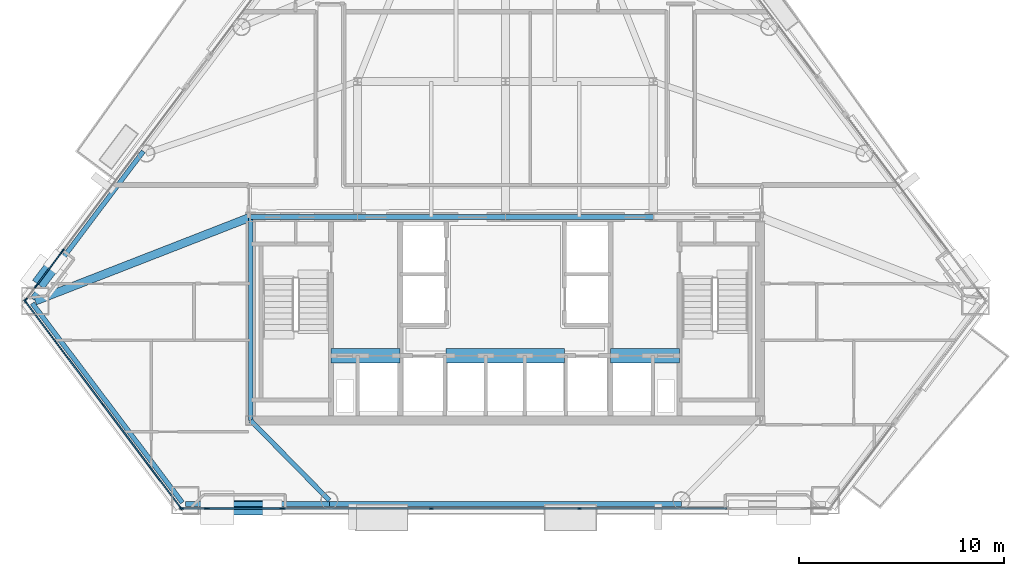
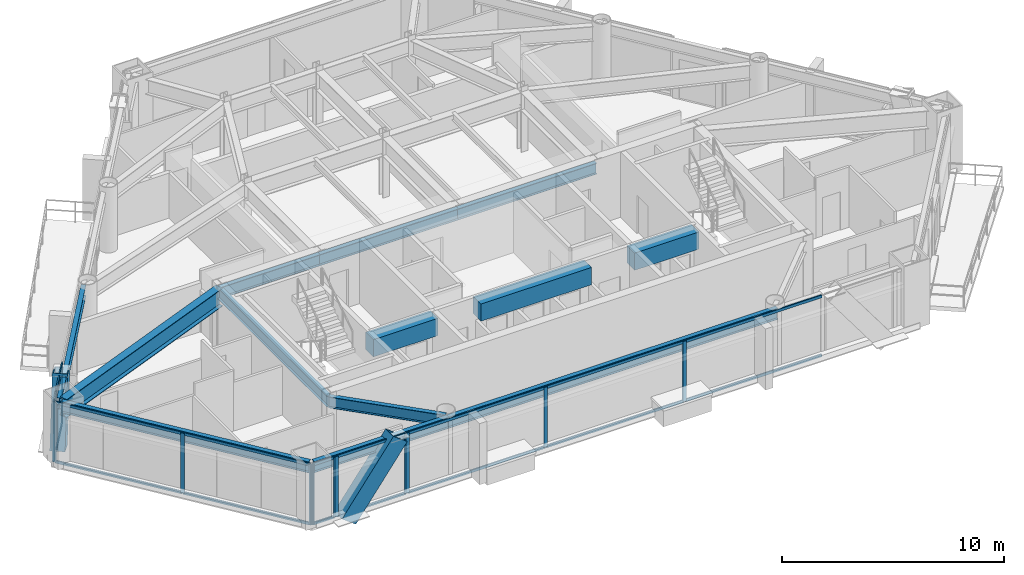
# One storey, part 2 of 14: 33 members, 13 beams, 7 elements without a shape of their own.
"""IFC4 building model written with IfcOpenShell, lengths in metres."""

from ifc_helpers import new_model, si_unit, direction, frame, origin, origin_2d, place, context, subcontext, project, spatial, rectangle, hollow_rectangle, i_section, extrude, material, layer, layer_set, material_profile, profile_set, type_object, element, aggregate, save


model = new_model("IFC4")

# Units and contexts
model_context = context("Model", 3, precision=1e-05, world=origin(), true_north=direction((0.0, 1.0)))
body_context = subcontext(model_context, "Body", "Model", "MODEL_VIEW")
ifc_project = project(units=[si_unit("LENGTHUNIT", "METRE"), si_unit("AREAUNIT", "SQUARE_METRE"), si_unit("VOLUMEUNIT", "CUBIC_METRE"), si_unit("PLANEANGLEUNIT", "RADIAN"), si_unit("MASSUNIT", "GRAM", prefix="KILO")], contexts=[model_context])

# Site, building, storey
site_placement = place(None, origin())
site = spatial("IfcSite", under=ifc_project, at=site_placement, CompositionType="ELEMENT")
building_placement = place(site_placement, origin())
building = spatial("IfcBuilding", under=site, at=building_placement, Name="Talgorran Terracotta Tower", CompositionType="ELEMENT")
storey_placement = place(building_placement, frame((0.0, 0.0, 56.699951171875)))
storey = spatial("IfcBuildingStorey", under=building, at=storey_placement, Name="L14", CompositionType="ELEMENT", Elevation=56.699951171875)

# Beams
ifc_material_1 = material(Name="Steel Grade 350 (350L0)", Category="steel")
ifc_material_profile_1 = material_profile(ifc_material_1, i_section(OverallWidth=0.39990234375, OverallDepth=1.0, WebThickness=0.01611328125, FlangeThickness=0.031005859375, at=origin_2d()), Name="1000WB296")
ifc_profile_set_1 = profile_set([ifc_material_profile_1], Name="Steel Grade 350 (350L0)")
beam_type_1 = type_object("IfcBeamType", Name="BM_1000WB296", PredefinedType="BEAM", material=ifc_profile_set_1)
beam_1_placement = place(storey_placement, frame((-12.39990234375, -4.199951171875, 2.820068359375), z_axis=(-0.931733259181, -0.363143406571, 0.0), x_axis=(0.363143406571, -0.931733259181, 0.0)))
element("IfcBeam", 1, at=beam_1_placement, inside=storey, type_object=beam_type_1, Name="L14 Floor Girder G17", PredefinedType="BEAM", context=body_context, shape_type="SweptSolid", body=[
    extrude(i_section(OverallWidth=0.39990234375, OverallDepth=1.0, WebThickness=0.01611328125, FlangeThickness=0.031005859375, at=origin_2d()), origin(), (0.0, 0.0, 1.0), 11.253662109375),
])
ifc_material_2 = material(Name="Concrete C65/80", Category="concrete")
ifc_material_profile_2 = material_profile(ifc_material_2, rectangle(XDim=0.699951171875, YDim=0.949951171875, at=origin_2d()), Name="RCCB700X950")
ifc_profile_set_2 = profile_set([ifc_material_profile_2], Name="Concrete C65/80")
beam_type_2 = type_object("IfcBeamType", Name="BM_CB_700X950", PredefinedType="LINTEL", material=ifc_profile_set_2)
beam_2_placement = place(storey_placement, frame((-8.47998046875, -10.949951171875, 2.844970703125), z_axis=(1.0, 0.0, 0.0), x_axis=(0.0, 1.0, 0.0)))
element("IfcBeam", 2, at=beam_2_placement, inside=storey, type_object=beam_type_2, Name="L14 Core Shear-Wall Coupling Beam CB1", PredefinedType="LINTEL", context=body_context, shape_type="SweptSolid", body=[
    extrude(rectangle(XDim=0.699951171875, YDim=0.949951171875, at=origin_2d()), origin(), (0.0, 0.0, 1.0), 3.35986328125),
])
beam_3_placement = place(storey_placement, frame((-2.8798828125, -10.949951171875, 2.844970703125), z_axis=(1.0, 0.0, 0.0), x_axis=(0.0, 1.0, 0.0)))
element("IfcBeam", 3, at=beam_3_placement, inside=storey, type_object=beam_type_2, Name="L14 Core Shear-Wall Coupling Beam CB2", PredefinedType="LINTEL", context=body_context, shape_type="SweptSolid", body=[
    extrude(rectangle(XDim=0.699951171875, YDim=0.949951171875, at=origin_2d()), origin(), (0.0, 0.0, 1.0), 5.759765625),
])
beam_4_placement = place(storey_placement, frame((5.1201171875, -10.949951171875, 2.844970703125), z_axis=(1.0, 0.0, 0.0), x_axis=(0.0, 1.0, 0.0)))
element("IfcBeam", 4, at=beam_4_placement, inside=storey, type_object=beam_type_2, Name="L14 Core Shear-Wall Coupling Beam CB3", PredefinedType="LINTEL", context=body_context, shape_type="SweptSolid", body=[
    extrude(rectangle(XDim=0.699951171875, YDim=0.949951171875, at=origin_2d()), origin(), (0.0, 0.0, 1.0), 3.35986328125),
])
ifc_material_3 = material(Name="Steel S355 (300PLUS)", Category="steel")
ifc_material_profile_3 = material_profile(ifc_material_3, i_section(OverallWidth=0.22900390625, OverallDepth=0.611572265625, WebThickness=0.011962890625, FlangeThickness=0.01953125, at=origin_2d()), Name="610UB125")
ifc_profile_set_3 = profile_set([ifc_material_profile_3], Name="Steel S355 (300PLUS)")
beam_type_3 = type_object("IfcBeamType", Name="BM_SP_610UB125", PredefinedType="SPANDREL", material=ifc_profile_set_3)
beam_5_placement = place(storey_placement, frame((-23.029052734375, -8.39501953125, 3.01416015625), z_axis=(0.601442935973, -0.798915761997, 0.0), x_axis=(0.798915761997, 0.601442935973, 0.0)))
element("IfcBeam", 5, at=beam_5_placement, inside=storey, type_object=beam_type_3, Name="L14 Perimeter Spandrel Beam MC1-MC2", PredefinedType="SPANDREL", context=body_context, shape_type="SweptSolid", body=[
    extrude(i_section(OverallWidth=0.22900390625, OverallDepth=0.611572265625, WebThickness=0.011962890625, FlangeThickness=0.01953125, at=origin_2d()), origin(), (0.0, 0.0, 1.0), 12.14697265625),
])
beam_6_placement = place(storey_placement, frame((-15.57958984375, -18.171142578125, 3.01416015625), z_axis=(1.0, 0.0, 0.0), x_axis=(0.0, 1.0, 0.0)))
element("IfcBeam", 6, at=beam_6_placement, inside=storey, type_object=beam_type_3, Name="L14 Perimeter Spandrel Beam MC2-FC1", PredefinedType="SPANDREL", context=body_context, shape_type="SweptSolid", body=[
    extrude(i_section(OverallWidth=0.22900390625, OverallDepth=0.611572265625, WebThickness=0.011962890625, FlangeThickness=0.01953125, at=origin_2d()), origin(), (0.0, 0.0, 1.0), 7.0107421875),
])
beam_7_placement = place(storey_placement, frame((-8.56884765625, -18.171142578125, 3.01416015625), z_axis=(1.0, 0.0, 0.0), x_axis=(0.0, 1.0, 0.0)))
element("IfcBeam", 7, at=beam_7_placement, inside=storey, type_object=beam_type_3, Name="L14 Perimeter Spandrel Beam FC1-FC2", PredefinedType="SPANDREL", context=body_context, shape_type="SweptSolid", body=[
    extrude(i_section(OverallWidth=0.22900390625, OverallDepth=0.611572265625, WebThickness=0.011962890625, FlangeThickness=0.01953125, at=origin_2d()), origin(), (0.0, 0.0, 1.0), 17.1376953125),
])
beam_8_placement = place(storey_placement, frame((-17.622314453125, -0.996337890625, 3.01416015625), z_axis=(-0.601446008666, -0.798913448791, 0.0), x_axis=(0.798913448791, -0.601446008666, 0.0)))
element("IfcBeam", 8, at=beam_8_placement, inside=storey, type_object=beam_type_3, Name="L14 Perimeter Spandrel Beam FC6-MC1", PredefinedType="SPANDREL", context=body_context, shape_type="SweptSolid", body=[
    extrude(i_section(OverallWidth=0.22900390625, OverallDepth=0.611572265625, WebThickness=0.011962890625, FlangeThickness=0.01953125, at=origin_2d()), origin(), (0.0, 0.0, 1.0), 8.989501953125),
])
beam_9_placement = place(storey_placement, frame((-8.56884765625, -17.9912109375, 3.01416015625), z_axis=(-0.701586091596, 0.712584700985, 0.0), x_axis=(-0.712584700985, -0.701586091596, 0.0)))
element("IfcBeam", 9, at=beam_9_placement, inside=storey, type_object=beam_type_3, Name="L14 South-West Core Tie Beam", PredefinedType="SPANDREL", context=body_context, shape_type="SweptSolid", body=[
    extrude(i_section(OverallWidth=0.22900390625, OverallDepth=0.611572265625, WebThickness=0.011962890625, FlangeThickness=0.01953125, at=origin_2d()), origin(), (0.0, 0.0, 1.0), 5.46044921875),
])
beam_10_placement = place(storey_placement, frame((-12.39990234375, -14.10009765625, 3.01416015625), z_axis=(0.0, 1.0, 0.0), x_axis=(-1.0, 0.0, 0.0)))
element("IfcBeam", 10, at=beam_10_placement, inside=storey, type_object=beam_type_3, Name="L14 Core Frame Beam CFW", PredefinedType="SPANDREL", context=body_context, shape_type="SweptSolid", body=[
    extrude(i_section(OverallWidth=0.22900390625, OverallDepth=0.611572265625, WebThickness=0.011962890625, FlangeThickness=0.01953125, at=origin_2d()), origin(), (0.0, 0.0, 1.0), 9.900146484375),
])
beam_11_placement = place(storey_placement, frame((-12.39990234375, -4.199951171875, 3.01416015625), z_axis=(1.0, 0.0, 0.0), x_axis=(0.0, 1.0, 0.0)))
element("IfcBeam", 11, at=beam_11_placement, inside=storey, type_object=beam_type_3, Name="L14 Core Frame Beam CFN1", PredefinedType="SPANDREL", context=body_context, shape_type="SweptSolid", body=[
    extrude(i_section(OverallWidth=0.22900390625, OverallDepth=0.611572265625, WebThickness=0.011962890625, FlangeThickness=0.01953125, at=origin_2d()), origin(), (0.0, 0.0, 1.0), 5.199951171875),
])
for number, where, z_axis, x_axis, name in (
    (12, (-7.199951171875, -4.199951171875, 3.01416015625), (1.0, 0.0, 0.0), (0.0, 1.0, 0.0), "L14 Core Frame Beam CFN2"),
    (13, (0.0, -4.199951171875, 3.01416015625), (1.0, 0.0, 0.0), (0.0, 1.0, 0.0), "L14 Core Frame Beam CFN3"),
):
    element("IfcBeam", number, at=place(storey_placement, frame(where, z_axis=z_axis, x_axis=x_axis)), inside=storey, type_object=beam_type_3, Name=name, PredefinedType="SPANDREL", context=body_context, shape_type="SweptSolid", body=[
        extrude(i_section(OverallWidth=0.22900390625, OverallDepth=0.611572265625, WebThickness=0.011962890625, FlangeThickness=0.01953125, at=origin_2d()), origin(), (0.0, 0.0, 1.0), 7.199951171875),
    ])

# Members
ifc_material_profile_4 = material_profile(ifc_material_1, hollow_rectangle(XDim=0.699951171875, YDim=0.89990234375, WallThickness=0.050048828125, at=origin_2d()), Name="WBOX900X700X50")
ifc_profile_set_4 = profile_set([ifc_material_profile_4], Name="Steel Grade 350 (350L0)")
member_type_1 = type_object("IfcMemberType", Name="MB_MEGA_900", PredefinedType="BRACE", material=ifc_profile_set_4)
member_1_placement = place(storey_placement, frame((-14.025634765625, -18.35107421875, -0.27001953125), z_axis=(0.595397527069, 0.0, 0.803431257022), x_axis=(0.0, 1.0, 0.0)))
element("IfcMember", 14, at=member_1_placement, inside=storey, type_object=member_type_1, Name="L14 Exterior Face Mega-Brace MB-1 (SWF)", PredefinedType="BRACE", context=body_context, shape_type="SweptSolid", body=[
    extrude(hollow_rectangle(XDim=0.699951171875, YDim=0.89990234375, WallThickness=0.050048828125, at=origin_2d()), origin(), (0.0, 0.0, 1.0), 4.49951171875),
])
member_2_placement = place(storey_placement, frame((-22.471435546875, -7.13818359375, -0.27001953125), z_axis=(0.155404916961, 0.206488901, 0.966028801614), x_axis=(-0.79899919389, 0.601332094738, 0.0)))
element("IfcMember", 15, at=member_2_placement, inside=storey, type_object=member_type_1, Name="L14 Exterior Face Mega-Brace MB-1 (NWL)", PredefinedType="BRACE", context=body_context, shape_type="SweptSolid", body=[
    extrude(hollow_rectangle(XDim=0.699951171875, YDim=0.89990234375, WallThickness=0.050048828125, at=origin_2d()), origin(), (0.0, 0.0, 1.0), 3.7421875),
])

# Curtain wall, members
ifc_material_4 = material(Name="Unitised Low-E Double Glazing", Category="glass")
ifc_layer = layer(ifc_material_4, 0.199951171875, Name="CW_SYS2_RES_LOW")
ifc_layer_set = layer_set([ifc_layer], Name="Unitised Low-E Double Glazing")
curtain_wall_type = type_object("IfcCurtainWallType", Name="CW_SYS2_RES_LOW", PredefinedType="NOTDEFINED", material=ifc_layer_set)
curtain_wall_1_placement = place(storey_placement, origin())
curtain_wall_1 = element("IfcCurtainWall", 16, at=curtain_wall_1_placement, inside=storey, type_object=curtain_wall_type, Name="CW-L14-F0", PredefinedType="NOTDEFINED")
ifc_material_5 = material(Name="Architectural Aluminium 6063-T6", Category="aluminium")
ifc_material_profile_5 = material_profile(ifc_material_5, rectangle(XDim=0.06494140625, YDim=0.18505859375, at=origin_2d()), Name="CWM65X185")
ifc_profile_set_5 = profile_set([ifc_material_profile_5], Name="Architectural Aluminium 6063-T6")
member_type_2 = type_object("IfcMemberType", Name="MUL_65X185", PredefinedType="MULLION", material=ifc_profile_set_5)
member_3_placement = place(storey_placement, frame((-23.366455078125, -8.3125, 0.0), z_axis=(0.0, 0.0, 1.0), x_axis=(0.798916134657, 0.601442440957, 0.0)))
member_3 = element("IfcMember", 17, at=member_3_placement, type_object=member_type_2, Name="CW-L14-0 mullion 1", PredefinedType="MULLION", context=body_context, shape_type="SweptSolid", body=[
    extrude(rectangle(XDim=0.06494140625, YDim=0.18505859375, at=origin_2d()), origin(), (0.0, 0.0, 1.0), 3.320068359375),
])
member_4_placement = place(storey_placement, frame((-19.58251953125, -13.3388671875, 0.0), z_axis=(0.0, 0.0, 1.0), x_axis=(0.798916134657, 0.601442440957, 0.0)))
member_4 = element("IfcMember", 18, at=member_4_placement, type_object=member_type_2, Name="CW-L14-0 mullion 2", PredefinedType="MULLION", context=body_context, shape_type="SweptSolid", body=[
    extrude(rectangle(XDim=0.06494140625, YDim=0.18505859375, at=origin_2d()), origin(), (0.0, 0.0, 1.0), 3.320068359375),
])
member_5_placement = place(storey_placement, frame((-15.798583984375, -18.365234375, 0.0), z_axis=(0.0, 0.0, 1.0), x_axis=(0.798916134657, 0.601442440957, 0.0)))
member_5 = element("IfcMember", 19, at=member_5_placement, type_object=member_type_2, Name="CW-L14-0 mullion 3", PredefinedType="MULLION", context=body_context, shape_type="SweptSolid", body=[
    extrude(rectangle(XDim=0.06494140625, YDim=0.18505859375, at=origin_2d()), origin(), (0.0, 0.0, 1.0), 3.320068359375),
])

curtain_wall_2_placement = place(storey_placement, origin())
curtain_wall_2 = element("IfcCurtainWall", 20, at=curtain_wall_2_placement, inside=storey, type_object=curtain_wall_type, Name="CW-L14-F1", PredefinedType="NOTDEFINED")
member_6_placement = place(storey_placement, frame((-15.74658203125, -18.39111328125, 0.0), z_axis=(0.0, 0.0, 1.0), x_axis=(0.0, 1.0, 0.0)))
member_6 = element("IfcMember", 21, at=member_6_placement, type_object=member_type_2, Name="CW-L14-1 mullion 1", PredefinedType="MULLION", context=body_context, shape_type="SweptSolid", body=[
    extrude(rectangle(XDim=0.06494140625, YDim=0.18505859375, at=origin_2d()), origin(), (0.0, 0.0, 1.0), 3.320068359375),
])
member_7_placement = place(storey_placement, frame((-14.5732421875, -18.39111328125, 0.0), z_axis=(0.0, 0.0, 1.0), x_axis=(0.0, 1.0, 0.0)))
member_7 = element("IfcMember", 22, at=member_7_placement, type_object=member_type_2, Name="CW-L14-1 mullion 2", PredefinedType="MULLION", context=body_context, shape_type="SweptSolid", body=[
    extrude(rectangle(XDim=0.06494140625, YDim=0.18505859375, at=origin_2d()), origin(), (0.0, 0.0, 1.0), 3.320068359375),
])

curtain_wall_3_placement = place(storey_placement, origin())
curtain_wall_3 = element("IfcCurtainWall", 23, at=curtain_wall_3_placement, inside=storey, type_object=curtain_wall_type, Name="CW-L14-F1B", PredefinedType="NOTDEFINED")
member_8_placement = place(storey_placement, frame((-14.498291015625, -18.39111328125, 0.0), z_axis=(0.0, 0.0, 1.0), x_axis=(0.0, 1.0, 0.0)))
member_8 = element("IfcMember", 24, at=member_8_placement, type_object=member_type_2, Name="CW-L14-1B mullion 1", PredefinedType="MULLION", context=body_context, shape_type="SweptSolid", body=[
    extrude(rectangle(XDim=0.06494140625, YDim=0.18505859375, at=origin_2d()), origin(), (0.0, 0.0, 1.0), 3.320068359375),
])
member_9_placement = place(storey_placement, frame((-10.87255859375, -18.39111328125, 0.0), z_axis=(0.0, 0.0, 1.0), x_axis=(0.0, 1.0, 0.0)))
member_9 = element("IfcMember", 25, at=member_9_placement, type_object=member_type_2, Name="CW-L14-1B mullion 2", PredefinedType="MULLION", context=body_context, shape_type="SweptSolid", body=[
    extrude(rectangle(XDim=0.06494140625, YDim=0.18505859375, at=origin_2d()), origin(), (0.0, 0.0, 1.0), 3.320068359375),
])

curtain_wall_4_placement = place(storey_placement, origin())
curtain_wall_4 = element("IfcCurtainWall", 26, at=curtain_wall_4_placement, inside=storey, type_object=curtain_wall_type, Name="CW-L14-F1C", PredefinedType="NOTDEFINED")
member_10_placement = place(storey_placement, frame((-10.797607421875, -18.39111328125, 0.0), z_axis=(0.0, 0.0, 1.0), x_axis=(0.0, 1.0, 0.0)))
member_10 = element("IfcMember", 27, at=member_10_placement, type_object=member_type_2, Name="CW-L14-1C mullion 1", PredefinedType="MULLION", context=body_context, shape_type="SweptSolid", body=[
    extrude(rectangle(XDim=0.06494140625, YDim=0.18505859375, at=origin_2d()), origin(), (0.0, 0.0, 1.0), 3.320068359375),
])
member_11_placement = place(storey_placement, frame((-3.610107421875, -18.39111328125, 0.0), z_axis=(0.0, 0.0, 1.0), x_axis=(0.0, 1.0, 0.0)))
member_11 = element("IfcMember", 28, at=member_11_placement, type_object=member_type_2, Name="CW-L14-1C mullion 2", PredefinedType="MULLION", context=body_context, shape_type="SweptSolid", body=[
    extrude(rectangle(XDim=0.06494140625, YDim=0.18505859375, at=origin_2d()), origin(), (0.0, 0.0, 1.0), 3.320068359375),
])
member_12_placement = place(storey_placement, frame((3.610107421875, -18.39111328125, 0.0), z_axis=(0.0, 0.0, 1.0), x_axis=(0.0, 1.0, 0.0)))
member_12 = element("IfcMember", 29, at=member_12_placement, type_object=member_type_2, Name="CW-L14-1C mullion 3", PredefinedType="MULLION", context=body_context, shape_type="SweptSolid", body=[
    extrude(rectangle(XDim=0.06494140625, YDim=0.18505859375, at=origin_2d()), origin(), (0.0, 0.0, 1.0), 3.320068359375),
])

# Curtain wall, member
curtain_wall_5_placement = place(storey_placement, origin())
curtain_wall_5 = element("IfcCurtainWall", 30, at=curtain_wall_5_placement, inside=storey, type_object=curtain_wall_type, Name="CW-L14-F61", PredefinedType="NOTDEFINED")
member_13_placement = place(storey_placement, frame((-21.547607421875, -5.844482421875, 0.0), z_axis=(0.0, 0.0, 1.0), x_axis=(0.798917628672, -0.601440456402, 0.0)))
member_13 = element("IfcMember", 31, at=member_13_placement, type_object=member_type_2, Name="CW-L14-61 mullion 2", PredefinedType="MULLION", context=body_context, shape_type="SweptSolid", body=[
    extrude(rectangle(XDim=0.06494140625, YDim=0.18505859375, at=origin_2d()), origin(), (0.0, 0.0, 1.0), 3.320068359375),
])
aggregate(curtain_wall_5, [member_13])

# Curtain wall, members
curtain_wall_6_placement = place(storey_placement, origin())
curtain_wall_6 = element("IfcCurtainWall", 32, at=curtain_wall_6_placement, inside=storey, type_object=curtain_wall_type, Name="CW-L14-F61B", PredefinedType="NOTDEFINED")
member_14_placement = place(storey_placement, frame((-21.592529296875, -5.904296875, 0.0), z_axis=(0.0, 0.0, 1.0), x_axis=(0.798916852976, -0.601441486788, 0.0)))
member_14 = element("IfcMember", 33, at=member_14_placement, type_object=member_type_2, Name="CW-L14-61B mullion 1", PredefinedType="MULLION", context=body_context, shape_type="SweptSolid", body=[
    extrude(rectangle(XDim=0.06494140625, YDim=0.18505859375, at=origin_2d()), origin(), (0.0, 0.0, 1.0), 3.320068359375),
])
member_15_placement = place(storey_placement, frame((-22.807861328125, -7.5185546875, 0.0), z_axis=(0.0, 0.0, 1.0), x_axis=(0.798916852976, -0.601441486788, 0.0)))
member_15 = element("IfcMember", 34, at=member_15_placement, type_object=member_type_2, Name="CW-L14-61B mullion 2", PredefinedType="MULLION", context=body_context, shape_type="SweptSolid", body=[
    extrude(rectangle(XDim=0.06494140625, YDim=0.18505859375, at=origin_2d()), origin(), (0.0, 0.0, 1.0), 3.320068359375),
])

curtain_wall_7_placement = place(storey_placement, origin())
curtain_wall_7 = element("IfcCurtainWall", 35, at=curtain_wall_7_placement, inside=storey, type_object=curtain_wall_type, Name="CW-L14-F61C", PredefinedType="NOTDEFINED")
member_16_placement = place(storey_placement, frame((-22.852783203125, -7.578369140625, 0.0), z_axis=(0.0, 0.0, 1.0), x_axis=(0.798933798225, -0.601418977131, 0.0)))
member_16 = element("IfcMember", 36, at=member_16_placement, type_object=member_type_2, Name="CW-L14-61C mullion 1", PredefinedType="MULLION", context=body_context, shape_type="SweptSolid", body=[
    extrude(rectangle(XDim=0.06494140625, YDim=0.18505859375, at=origin_2d()), origin(), (0.0, 0.0, 1.0), 3.320068359375),
])
member_17_placement = place(storey_placement, frame((-23.34228515625, -8.228515625, 0.0), z_axis=(0.0, 0.0, 1.0), x_axis=(0.798933798225, -0.601418977131, 0.0)))
member_17 = element("IfcMember", 37, at=member_17_placement, type_object=member_type_2, Name="CW-L14-61C mullion 2", PredefinedType="MULLION", context=body_context, shape_type="SweptSolid", body=[
    extrude(rectangle(XDim=0.06494140625, YDim=0.18505859375, at=origin_2d()), origin(), (0.0, 0.0, 1.0), 3.320068359375),
])
aggregate(curtain_wall_7, [member_16, member_17])

# Member
ifc_material_profile_6 = material_profile(ifc_material_5, rectangle(XDim=0.06494140625, YDim=0.14990234375, at=origin_2d()), Name="CWT65X150")
ifc_profile_set_6 = profile_set([ifc_material_profile_6], Name="Architectural Aluminium 6063-T6")
member_type_3 = type_object("IfcMemberType", Name="TRN_65X150", PredefinedType="USERDEFINED", material=ifc_profile_set_6)
member_18_placement = place(storey_placement, frame((-23.346923828125, -8.338623046875, 0.032470703125), z_axis=(0.601448231675, -0.798911775238, 0.0), x_axis=(0.798911775238, 0.601448231675, 0.0)))
member_18 = element("IfcMember", 38, at=member_18_placement, type_object=member_type_3, Name="CW-L14-0 transom 1.1", ObjectType="TRANSOM", PredefinedType="USERDEFINED", context=body_context, shape_type="SweptSolid", body=[
    extrude(rectangle(XDim=0.06494140625, YDim=0.14990234375, at=origin_2d()), origin(), (0.0, 0.0, 1.0), 6.226318359375),
])

member_19_placement = place(storey_placement, frame((-23.346923828125, -8.338623046875, 3.28759765625), z_axis=(0.601448231675, -0.798911775238, 0.0), x_axis=(0.798911775238, 0.601448231675, 0.0)))
member_19 = element("IfcMember", 39, at=member_19_placement, type_object=member_type_3, Name="CW-L14-0 transom 1.2", ObjectType="TRANSOM", PredefinedType="USERDEFINED", context=body_context, shape_type="SweptSolid", body=[
    extrude(rectangle(XDim=0.06494140625, YDim=0.14990234375, at=origin_2d()), origin(), (0.0, 0.0, 1.0), 6.226318359375),
])

member_20_placement = place(storey_placement, frame((-19.56298828125, -13.36474609375, 0.032470703125), z_axis=(0.601448231675, -0.798911775238, 0.0), x_axis=(0.798911775238, 0.601448231675, 0.0)))
member_20 = element("IfcMember", 40, at=member_20_placement, type_object=member_type_3, Name="CW-L14-0 transom 2.1", ObjectType="TRANSOM", PredefinedType="USERDEFINED", context=body_context, shape_type="SweptSolid", body=[
    extrude(rectangle(XDim=0.06494140625, YDim=0.14990234375, at=origin_2d()), origin(), (0.0, 0.0, 1.0), 6.226318359375),
])

member_21_placement = place(storey_placement, frame((-19.56298828125, -13.36474609375, 3.28759765625), z_axis=(0.601448231675, -0.798911775238, 0.0), x_axis=(0.798911775238, 0.601448231675, 0.0)))
member_21 = element("IfcMember", 41, at=member_21_placement, type_object=member_type_3, Name="CW-L14-0 transom 2.2", ObjectType="TRANSOM", PredefinedType="USERDEFINED", context=body_context, shape_type="SweptSolid", body=[
    extrude(rectangle(XDim=0.06494140625, YDim=0.14990234375, at=origin_2d()), origin(), (0.0, 0.0, 1.0), 6.226318359375),
])

aggregate(curtain_wall_1, [member_3, member_4, member_5, member_18, member_19, member_20, member_21])

member_22_placement = place(storey_placement, frame((-15.714111328125, -18.39111328125, 0.032470703125), z_axis=(1.0, 0.0, 0.0), x_axis=(0.0, 1.0, 0.0)))
member_22 = element("IfcMember", 42, at=member_22_placement, type_object=member_type_3, Name="CW-L14-1 transom 1.1", ObjectType="TRANSOM", PredefinedType="USERDEFINED", context=body_context, shape_type="SweptSolid", body=[
    extrude(rectangle(XDim=0.06494140625, YDim=0.14990234375, at=origin_2d()), origin(), (0.0, 0.0, 1.0), 1.1083984375),
])

member_23_placement = place(storey_placement, frame((-15.714111328125, -18.39111328125, 3.28759765625), z_axis=(1.0, 0.0, 0.0), x_axis=(0.0, 1.0, 0.0)))
member_23 = element("IfcMember", 43, at=member_23_placement, type_object=member_type_3, Name="CW-L14-1 transom 1.2", ObjectType="TRANSOM", PredefinedType="USERDEFINED", context=body_context, shape_type="SweptSolid", body=[
    extrude(rectangle(XDim=0.06494140625, YDim=0.14990234375, at=origin_2d()), origin(), (0.0, 0.0, 1.0), 1.1083984375),
])

aggregate(curtain_wall_2, [member_6, member_7, member_22, member_23])

member_24_placement = place(storey_placement, frame((-14.4658203125, -18.39111328125, 0.032470703125), z_axis=(1.0, 0.0, 0.0), x_axis=(0.0, 1.0, 0.0)))
member_24 = element("IfcMember", 44, at=member_24_placement, type_object=member_type_3, Name="CW-L14-1B transom 1.1", ObjectType="TRANSOM", PredefinedType="USERDEFINED", context=body_context, shape_type="SweptSolid", body=[
    extrude(rectangle(XDim=0.06494140625, YDim=0.14990234375, at=origin_2d()), origin(), (0.0, 0.0, 1.0), 3.560791015625),
])

member_25_placement = place(storey_placement, frame((-14.4658203125, -18.39111328125, 3.28759765625), z_axis=(1.0, 0.0, 0.0), x_axis=(0.0, 1.0, 0.0)))
member_25 = element("IfcMember", 45, at=member_25_placement, type_object=member_type_3, Name="CW-L14-1B transom 1.2", ObjectType="TRANSOM", PredefinedType="USERDEFINED", context=body_context, shape_type="SweptSolid", body=[
    extrude(rectangle(XDim=0.06494140625, YDim=0.14990234375, at=origin_2d()), origin(), (0.0, 0.0, 1.0), 3.560791015625),
])

aggregate(curtain_wall_3, [member_8, member_9, member_24, member_25])

member_26_placement = place(storey_placement, frame((-10.76513671875, -18.39111328125, 0.032470703125), z_axis=(1.0, 0.0, 0.0), x_axis=(0.0, 1.0, 0.0)))
member_26 = element("IfcMember", 46, at=member_26_placement, type_object=member_type_3, Name="CW-L14-1C transom 1.1", ObjectType="TRANSOM", PredefinedType="USERDEFINED", context=body_context, shape_type="SweptSolid", body=[
    extrude(rectangle(XDim=0.06494140625, YDim=0.14990234375, at=origin_2d()), origin(), (0.0, 0.0, 1.0), 7.12255859375),
])

member_27_placement = place(storey_placement, frame((-10.76513671875, -18.39111328125, 3.28759765625), z_axis=(1.0, 0.0, 0.0), x_axis=(0.0, 1.0, 0.0)))
member_27 = element("IfcMember", 47, at=member_27_placement, type_object=member_type_3, Name="CW-L14-1C transom 1.2", ObjectType="TRANSOM", PredefinedType="USERDEFINED", context=body_context, shape_type="SweptSolid", body=[
    extrude(rectangle(XDim=0.06494140625, YDim=0.14990234375, at=origin_2d()), origin(), (0.0, 0.0, 1.0), 7.12255859375),
])

member_28_placement = place(storey_placement, frame((-3.57763671875, -18.39111328125, 0.032470703125), z_axis=(1.0, 0.0, 0.0), x_axis=(0.0, 1.0, 0.0)))
member_28 = element("IfcMember", 48, at=member_28_placement, type_object=member_type_3, Name="CW-L14-1C transom 2.1", ObjectType="TRANSOM", PredefinedType="USERDEFINED", context=body_context, shape_type="SweptSolid", body=[
    extrude(rectangle(XDim=0.06494140625, YDim=0.14990234375, at=origin_2d()), origin(), (0.0, 0.0, 1.0), 7.1552734375),
])

member_29_placement = place(storey_placement, frame((-3.57763671875, -18.39111328125, 3.28759765625), z_axis=(1.0, 0.0, 0.0), x_axis=(0.0, 1.0, 0.0)))
member_29 = element("IfcMember", 49, at=member_29_placement, type_object=member_type_3, Name="CW-L14-1C transom 2.2", ObjectType="TRANSOM", PredefinedType="USERDEFINED", context=body_context, shape_type="SweptSolid", body=[
    extrude(rectangle(XDim=0.06494140625, YDim=0.14990234375, at=origin_2d()), origin(), (0.0, 0.0, 1.0), 7.1552734375),
])

member_30_placement = place(storey_placement, frame((3.642578125, -18.39111328125, 0.032470703125), z_axis=(1.0, 0.0, 0.0), x_axis=(0.0, 1.0, 0.0)))
member_30 = element("IfcMember", 50, at=member_30_placement, type_object=member_type_3, Name="CW-L14-1C transom 3.1", ObjectType="TRANSOM", PredefinedType="USERDEFINED", context=body_context, shape_type="SweptSolid", body=[
    extrude(rectangle(XDim=0.06494140625, YDim=0.14990234375, at=origin_2d()), origin(), (0.0, 0.0, 1.0), 7.12255859375),
])

member_31_placement = place(storey_placement, frame((3.642578125, -18.39111328125, 3.28759765625), z_axis=(1.0, 0.0, 0.0), x_axis=(0.0, 1.0, 0.0)))
member_31 = element("IfcMember", 51, at=member_31_placement, type_object=member_type_3, Name="CW-L14-1C transom 3.2", ObjectType="TRANSOM", PredefinedType="USERDEFINED", context=body_context, shape_type="SweptSolid", body=[
    extrude(rectangle(XDim=0.06494140625, YDim=0.14990234375, at=origin_2d()), origin(), (0.0, 0.0, 1.0), 7.12255859375),
])

aggregate(curtain_wall_4, [member_10, member_11, member_12, member_26, member_27, member_28, member_29, member_30, member_31])

member_32_placement = place(storey_placement, frame((-21.6123046875, -5.930419921875, 0.032470703125), z_axis=(-0.601397682348, -0.798949828003, 0.0), x_axis=(0.798949828003, -0.601397682348, 0.0)))
member_32 = element("IfcMember", 52, at=member_32_placement, type_object=member_type_3, Name="CW-L14-61B transom 1.1", ObjectType="TRANSOM", PredefinedType="USERDEFINED", context=body_context, shape_type="SweptSolid", body=[
    extrude(rectangle(XDim=0.06494140625, YDim=0.14990234375, at=origin_2d()), origin(), (0.0, 0.0, 1.0), 1.955078125),
])

member_33_placement = place(storey_placement, frame((-21.6123046875, -5.930419921875, 3.28759765625), z_axis=(-0.601397682348, -0.798949828003, 0.0), x_axis=(0.798949828003, -0.601397682348, 0.0)))
member_33 = element("IfcMember", 53, at=member_33_placement, type_object=member_type_3, Name="CW-L14-61B transom 1.2", ObjectType="TRANSOM", PredefinedType="USERDEFINED", context=body_context, shape_type="SweptSolid", body=[
    extrude(rectangle(XDim=0.06494140625, YDim=0.14990234375, at=origin_2d()), origin(), (0.0, 0.0, 1.0), 1.955078125),
])

aggregate(curtain_wall_6, [member_14, member_15, member_32, member_33])

save(model, "model.ifc")
